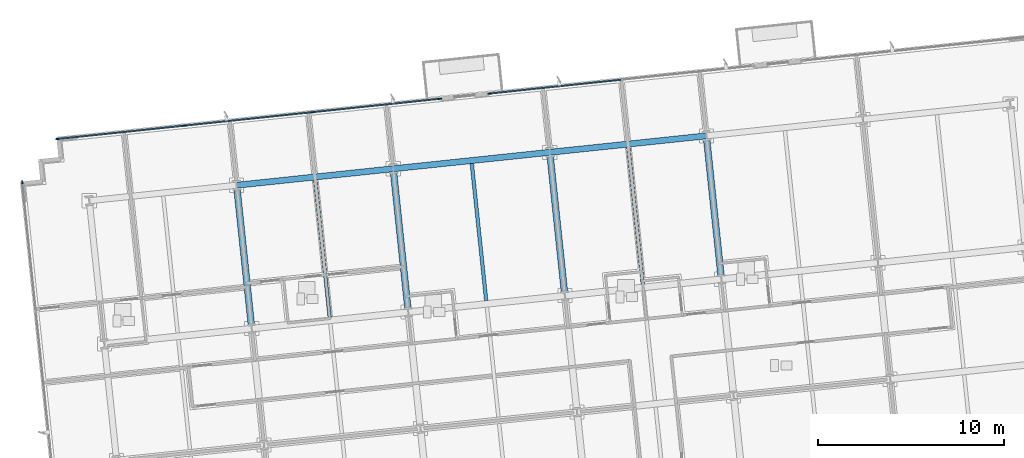
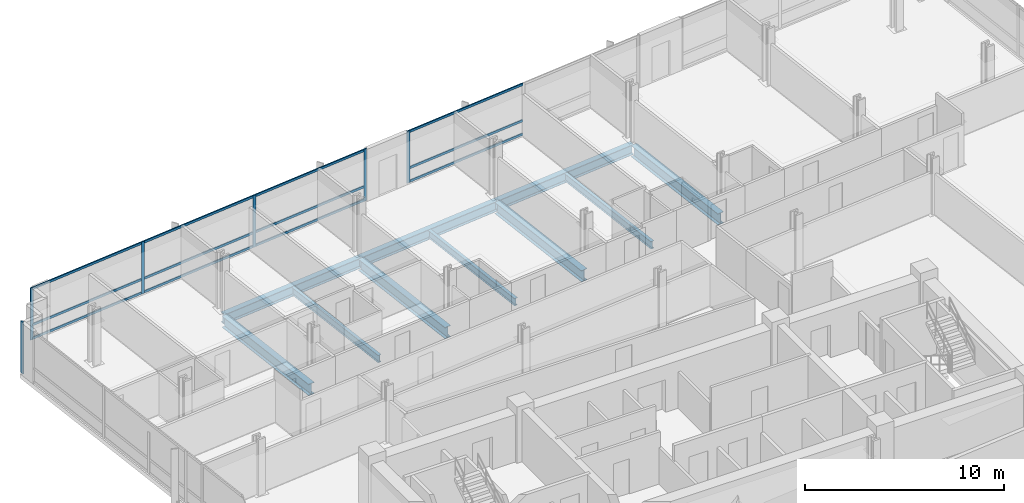
# One storey, part 7 of 18: 18 members, 10 beams, 3 elements without a shape of their own.
"""IFC4 building model written with IfcOpenShell, lengths in metres."""

from ifc_helpers import new_model, si_unit, direction, frame, origin, origin_2d, place, context, subcontext, project, spatial, rectangle, i_section, extrude, material, material_profile, profile_set, type_object, element, aggregate, save


model = new_model("IFC4")

# Units and contexts
model_context = context("Model", 3, precision=1e-05, world=origin(), true_north=direction((0.0, 1.0)))
body_context = subcontext(model_context, "Body", "Model", "MODEL_VIEW")
ifc_project = project(units=[si_unit("LENGTHUNIT", "METRE"), si_unit("AREAUNIT", "SQUARE_METRE"), si_unit("VOLUMEUNIT", "CUBIC_METRE"), si_unit("PLANEANGLEUNIT", "RADIAN"), si_unit("MASSUNIT", "GRAM", prefix="KILO")], contexts=[model_context])

# Site, building, storey
site_placement = place(None, origin())
site = spatial("IfcSite", under=ifc_project, at=site_placement, CompositionType="ELEMENT")
building_placement = place(site_placement, origin())
building = spatial("IfcBuilding", under=site, at=building_placement, Name="Solmavex Isthmus Hotel", CompositionType="ELEMENT")
storey_placement = place(building_placement, frame((0.0, 0.0, 120.14990234375)))
storey = spatial("IfcBuildingStorey", under=building, at=storey_placement, Name="L32", CompositionType="ELEMENT", Elevation=120.14990234375)

# Beams
ifc_material_1 = material(Name="Steel ASTM A992 Grade 50", Category="steel")
ifc_material_profile_1 = material_profile(ifc_material_1, i_section(OverallWidth=0.354736328125, OverallDepth=0.695556640625, WebThickness=0.015380859375, FlangeThickness=0.02490234375, FilletRadius=0.017822265625, at=origin_2d()), Name="W27X146")
ifc_profile_set_1 = profile_set([ifc_material_profile_1], Name="Steel ASTM A992 Grade 50")
beam_type_1 = type_object("IfcBeamType", Name="BM-BG-W27X146", PredefinedType="BEAM", material=ifc_profile_set_1)
for number, where, z_axis, x_axis, name in (
    (1, (-13.135498046875, 8.55859375, -0.607666015625), (-0.1045578893, 0.994518802128, 0.0), (-0.994518802128, -0.1045578893, 0.0), "Floor Beam L32-VG31"),
    (2, (-4.716064453125, 9.443603515625, -0.607666015625), (-0.104525307271, 0.994522227072, 0.0), (-0.994522227072, -0.104525307271, 0.0), "Floor Beam L32-VG35"),
):
    element("IfcBeam", number, at=place(storey_placement, frame(where, z_axis=z_axis, x_axis=x_axis)), inside=storey, type_object=beam_type_1, Name=name, PredefinedType="BEAM", context=body_context, shape_type="SweptSolid", body=[
        extrude(i_section(OverallWidth=0.354736328125, OverallDepth=0.695556640625, WebThickness=0.015380859375, FlangeThickness=0.02490234375, FilletRadius=0.017822265625, at=origin_2d()), origin(), (0.0, 0.0, 1.0), 7.4111328125),
    ])
beam_1_placement = place(storey_placement, frame((3.70361328125, 10.328369140625, -0.607666015625), z_axis=(-0.10452188296, 0.994522586964, 0.0), x_axis=(-0.994522586964, -0.10452188296, 0.0)))
element("IfcBeam", 3, at=beam_1_placement, inside=storey, type_object=beam_type_1, Name="Floor Beam L32-VG39", PredefinedType="BEAM", context=body_context, shape_type="SweptSolid", body=[
    extrude(i_section(OverallWidth=0.354736328125, OverallDepth=0.695556640625, WebThickness=0.015380859375, FlangeThickness=0.02490234375, FilletRadius=0.017822265625, at=origin_2d()), origin(), (0.0, 0.0, 1.0), 7.411376953125),
])
beam_2_placement = place(storey_placement, frame((12.123291015625, 11.21337890625, -0.607666015625), z_axis=(-0.104525307271, 0.994522227072, 0.0), x_axis=(-0.994522227072, -0.104525307271, 0.0)))
element("IfcBeam", 4, at=beam_2_placement, inside=storey, type_object=beam_type_1, Name="Floor Beam L32-VG42", PredefinedType="BEAM", context=body_context, shape_type="SweptSolid", body=[
    extrude(i_section(OverallWidth=0.354736328125, OverallDepth=0.695556640625, WebThickness=0.015380859375, FlangeThickness=0.02490234375, FilletRadius=0.017822265625, at=origin_2d()), origin(), (0.0, 0.0, 1.0), 7.4111328125),
])
ifc_material_profile_2 = material_profile(ifc_material_1, i_section(OverallWidth=0.1904296875, OverallDepth=0.456787109375, WebThickness=0.009033203125, FlangeThickness=0.014404296875, FilletRadius=0.0126953125, at=origin_2d()), Name="W18X50")
ifc_profile_set_2 = profile_set([ifc_material_profile_2], Name="Steel ASTM A992 Grade 50")
beam_type_2 = type_object("IfcBeamType", Name="BM-BJ-W18X50", PredefinedType="JOIST", material=ifc_profile_set_2)
beam_3_placement = place(storey_placement, frame((-8.92578125, 9.0009765625, -0.48828125), z_axis=(-0.10452188296, 0.994522586964, 0.0), x_axis=(-0.994522586964, -0.10452188296, 0.0)))
element("IfcBeam", 5, at=beam_3_placement, inside=storey, type_object=beam_type_2, Name="Secondary Floor Joist L32-J08", PredefinedType="JOIST", context=body_context, shape_type="SweptSolid", body=[
    extrude(i_section(OverallWidth=0.1904296875, OverallDepth=0.456787109375, WebThickness=0.009033203125, FlangeThickness=0.014404296875, FilletRadius=0.0126953125, at=origin_2d()), origin(), (0.0, 0.0, 1.0), 7.411376953125),
])
for number, where, z_axis, x_axis, name in (
    (6, (-0.506103515625, 9.885986328125, -0.48828125), (-0.104525307271, 0.994522227072, 0.0), (-0.994522227072, -0.104525307271, 0.0), "Secondary Floor Joist L32-J12"),
    (7, (7.913330078125, 10.77099609375, -0.48828125), (-0.104525307271, 0.994522227072, 0.0), (-0.994522227072, -0.104525307271, 0.0), "Secondary Floor Joist L32-J15"),
):
    element("IfcBeam", number, at=place(storey_placement, frame(where, z_axis=z_axis, x_axis=x_axis)), inside=storey, type_object=beam_type_2, Name=name, PredefinedType="JOIST", context=body_context, shape_type="SweptSolid", body=[
        extrude(i_section(OverallWidth=0.1904296875, OverallDepth=0.456787109375, WebThickness=0.009033203125, FlangeThickness=0.014404296875, FilletRadius=0.0126953125, at=origin_2d()), origin(), (0.0, 0.0, 1.0), 7.4111328125),
    ])
ifc_material_profile_3 = material_profile(ifc_material_1, i_section(OverallWidth=0.326416015625, OverallDepth=0.621826171875, WebThickness=0.015380859375, FlangeThickness=0.0244140625, FilletRadius=0.01513671875, at=origin_2d()), Name="W24X131")
ifc_profile_set_3 = profile_set([ifc_material_profile_3], Name="Steel ASTM A992 Grade 50")
beam_type_3 = type_object("IfcBeamType", Name="BM-SP-W24X131", PredefinedType="SPANDREL", material=ifc_profile_set_3)
for number, where, z_axis, x_axis, name in (
    (8, (-13.927490234375, 16.091552734375, -0.57080078125), (0.994521085209, 0.104536171134, 0.0), (-0.104536171134, 0.994521085209, 0.0), "Floor Girder L32-UG20"),
    (9, (-5.5078125, 16.9765625, -0.57080078125), (0.994521085209, 0.104536171134, 0.0), (-0.104536171134, 0.994521085209, 0.0), "Floor Girder L32-UG21"),
    (10, (2.911865234375, 17.861572265625, -0.57080078125), (0.994521085209, 0.104536171134, 0.0), (-0.104536171134, 0.994521085209, 0.0), "Floor Girder L32-UG22"),
):
    element("IfcBeam", number, at=place(storey_placement, frame(where, z_axis=z_axis, x_axis=x_axis)), inside=storey, type_object=beam_type_3, Name=name, PredefinedType="SPANDREL", context=body_context, shape_type="SweptSolid", body=[
        extrude(i_section(OverallWidth=0.326416015625, OverallDepth=0.621826171875, WebThickness=0.015380859375, FlangeThickness=0.0244140625, FilletRadius=0.01513671875, at=origin_2d()), origin(), (0.0, 0.0, 1.0), 8.466064453125),
    ])

# Curtain wall, members
ifc_material_2 = material(Name="Aluminium alloy 6063-T6", Category="aluminium")
curtain_wall_type = type_object("IfcCurtainWallType", Name="CW-SYS-03", PredefinedType="NOTDEFINED", material=ifc_material_2)
curtain_wall_1_placement = place(storey_placement, origin())
curtain_wall_1 = element("IfcCurtainWall", 11, at=curtain_wall_1_placement, inside=storey, type_object=curtain_wall_type, Name="Stick Curtain Wall CWL-L32-N1", PredefinedType="NOTDEFINED")
ifc_material_profile_4 = material_profile(ifc_material_2, rectangle(XDim=0.070068359375, YDim=0.179931640625, at=origin_2d()), Name="CWM-70X180")
ifc_profile_set_4 = profile_set([ifc_material_profile_4], Name="Aluminium alloy 6063-T6")
member_type_1 = type_object("IfcMemberType", Name="CW-SYS-03-MUL", PredefinedType="MULLION", material=ifc_profile_set_4)
member_1_placement = place(storey_placement, frame((-23.572998046875, 18.5771484375, 0.0), z_axis=(0.0, 0.0, 1.0), x_axis=(-0.10452832057, 0.994521910366, 0.0)))
member_1 = element("IfcMember", 12, at=member_1_placement, type_object=member_type_1, Name="CW-03 mullion 1", PredefinedType="MULLION", context=body_context, shape_type="SweptSolid", body=[
    extrude(rectangle(XDim=0.070068359375, YDim=0.179931640625, at=origin_2d()), origin(), (0.0, 0.0, 1.0), 3.190185546875),
])
member_2_placement = place(storey_placement, frame((-16.723388671875, 19.296875, 0.0), z_axis=(0.0, 0.0, 1.0), x_axis=(-0.10452832057, 0.994521910366, 0.0)))
member_2 = element("IfcMember", 13, at=member_2_placement, type_object=member_type_1, Name="CW-03 mullion 2", PredefinedType="MULLION", context=body_context, shape_type="SweptSolid", body=[
    extrude(rectangle(XDim=0.070068359375, YDim=0.179931640625, at=origin_2d()), origin(), (0.0, 0.0, 1.0), 3.190185546875),
])
member_3_placement = place(storey_placement, frame((-9.839111328125, 20.0205078125, 0.0), z_axis=(0.0, 0.0, 1.0), x_axis=(-0.10452832057, 0.994521910366, 0.0)))
member_3 = element("IfcMember", 14, at=member_3_placement, type_object=member_type_1, Name="CW-03 mullion 3", PredefinedType="MULLION", context=body_context, shape_type="SweptSolid", body=[
    extrude(rectangle(XDim=0.070068359375, YDim=0.179931640625, at=origin_2d()), origin(), (0.0, 0.0, 1.0), 3.190185546875),
])
member_4_placement = place(storey_placement, frame((-2.989501953125, 20.740478515625, 0.0), z_axis=(0.0, 0.0, 1.0), x_axis=(-0.10452832057, 0.994521910366, 0.0)))
member_4 = element("IfcMember", 15, at=member_4_placement, type_object=member_type_1, Name="CW-03 mullion 4", PredefinedType="MULLION", context=body_context, shape_type="SweptSolid", body=[
    extrude(rectangle(XDim=0.070068359375, YDim=0.179931640625, at=origin_2d()), origin(), (0.0, 0.0, 1.0), 3.190185546875),
])

# Curtain wall, member
curtain_wall_2_placement = place(storey_placement, origin())
curtain_wall_2 = element("IfcCurtainWall", 16, at=curtain_wall_2_placement, inside=storey, type_object=curtain_wall_type, Name="Stick Curtain Wall CWL-L32-N2", PredefinedType="NOTDEFINED")
member_5_placement = place(storey_placement, frame((-0.333984375, 21.01953125, 0.0), z_axis=(0.0, 0.0, 1.0), x_axis=(-0.10452900389, 0.994521838546, 0.0)))
member_5 = element("IfcMember", 17, at=member_5_placement, type_object=member_type_1, Name="CW-03 mullion 1", PredefinedType="MULLION", context=body_context, shape_type="SweptSolid", body=[
    extrude(rectangle(XDim=0.070068359375, YDim=0.179931640625, at=origin_2d()), origin(), (0.0, 0.0, 1.0), 3.190185546875),
])

curtain_wall_3_placement = place(storey_placement, origin())
curtain_wall_3 = element("IfcCurtainWall", 18, at=curtain_wall_3_placement, inside=storey, type_object=curtain_wall_type, Name="Stick Curtain Wall CWL-L32-W1", PredefinedType="NOTDEFINED")
member_6_placement = place(storey_placement, frame((-25.455322265625, 16.25244140625, 0.0), z_axis=(0.0, 0.0, 1.0), x_axis=(-0.994521893044, -0.104528485381, 0.0)))
member_6 = element("IfcMember", 19, at=member_6_placement, type_object=member_type_1, Name="CW-03 mullion 6", PredefinedType="MULLION", context=body_context, shape_type="SweptSolid", body=[
    extrude(rectangle(XDim=0.070068359375, YDim=0.179931640625, at=origin_2d()), origin(), (0.0, 0.0, 1.0), 3.190185546875),
])
aggregate(curtain_wall_3, [member_6])

# Member
ifc_material_profile_5 = material_profile(ifc_material_2, rectangle(XDim=0.070068359375, YDim=0.139892578125, at=origin_2d()), Name="CWT-70X140")
ifc_profile_set_5 = profile_set([ifc_material_profile_5], Name="Aluminium alloy 6063-T6")
member_type_2 = type_object("IfcMemberType", Name="CW-SYS-03-TRN", PredefinedType="USERDEFINED", material=ifc_profile_set_5)
member_7_placement = place(storey_placement, frame((-23.5380859375, 18.58056640625, 0.070068359375), z_axis=(0.994520944536, 0.104537509438, 0.0), x_axis=(-0.104537509438, 0.994520944536, 0.0)))
member_7 = element("IfcMember", 20, at=member_7_placement, type_object=member_type_2, Name="CW-03 transom 1.1", ObjectType="TRANSOM", PredefinedType="USERDEFINED", context=body_context, shape_type="SweptSolid", body=[
    extrude(rectangle(XDim=0.070068359375, YDim=0.139892578125, at=origin_2d()), origin(), (0.0, 0.0, 1.0), 6.817138671875),
])

member_8_placement = place(storey_placement, frame((-23.5380859375, 18.58056640625, 0.900146484375), z_axis=(0.994520944536, 0.104537509438, 0.0), x_axis=(-0.104537509438, 0.994520944536, 0.0)))
member_8 = element("IfcMember", 21, at=member_8_placement, type_object=member_type_2, Name="CW-03 transom 1.2", ObjectType="TRANSOM", PredefinedType="USERDEFINED", context=body_context, shape_type="SweptSolid", body=[
    extrude(rectangle(XDim=0.070068359375, YDim=0.139892578125, at=origin_2d()), origin(), (0.0, 0.0, 1.0), 6.817138671875),
])

member_9_placement = place(storey_placement, frame((-23.5380859375, 18.58056640625, 3.1201171875), z_axis=(0.994520944536, 0.104537509438, 0.0), x_axis=(-0.104537509438, 0.994520944536, 0.0)))
member_9 = element("IfcMember", 22, at=member_9_placement, type_object=member_type_2, Name="CW-03 transom 1.3", ObjectType="TRANSOM", PredefinedType="USERDEFINED", context=body_context, shape_type="SweptSolid", body=[
    extrude(rectangle(XDim=0.070068359375, YDim=0.139892578125, at=origin_2d()), origin(), (0.0, 0.0, 1.0), 6.817138671875),
])

member_10_placement = place(storey_placement, frame((-16.6884765625, 19.300537109375, 0.070068359375), z_axis=(0.994521060183, 0.104536409221, 0.0), x_axis=(-0.104536409221, 0.994521060183, 0.0)))
member_10 = element("IfcMember", 23, at=member_10_placement, type_object=member_type_2, Name="CW-03 transom 2.1", ObjectType="TRANSOM", PredefinedType="USERDEFINED", context=body_context, shape_type="SweptSolid", body=[
    extrude(rectangle(XDim=0.070068359375, YDim=0.139892578125, at=origin_2d()), origin(), (0.0, 0.0, 1.0), 6.852294921875),
])

member_11_placement = place(storey_placement, frame((-16.6884765625, 19.300537109375, 0.900146484375), z_axis=(0.994521060183, 0.104536409221, 0.0), x_axis=(-0.104536409221, 0.994521060183, 0.0)))
member_11 = element("IfcMember", 24, at=member_11_placement, type_object=member_type_2, Name="CW-03 transom 2.2", ObjectType="TRANSOM", PredefinedType="USERDEFINED", context=body_context, shape_type="SweptSolid", body=[
    extrude(rectangle(XDim=0.070068359375, YDim=0.139892578125, at=origin_2d()), origin(), (0.0, 0.0, 1.0), 6.852294921875),
])

member_12_placement = place(storey_placement, frame((-16.6884765625, 19.300537109375, 3.1201171875), z_axis=(0.994521060183, 0.104536409221, 0.0), x_axis=(-0.104536409221, 0.994521060183, 0.0)))
member_12 = element("IfcMember", 25, at=member_12_placement, type_object=member_type_2, Name="CW-03 transom 2.3", ObjectType="TRANSOM", PredefinedType="USERDEFINED", context=body_context, shape_type="SweptSolid", body=[
    extrude(rectangle(XDim=0.070068359375, YDim=0.139892578125, at=origin_2d()), origin(), (0.0, 0.0, 1.0), 6.852294921875),
])

member_13_placement = place(storey_placement, frame((-9.80419921875, 20.024169921875, 0.070068359375), z_axis=(0.99452133588, 0.104533786303, 0.0), x_axis=(-0.104533786303, 0.99452133588, 0.0)))
member_13 = element("IfcMember", 26, at=member_13_placement, type_object=member_type_2, Name="CW-03 transom 3.1", ObjectType="TRANSOM", PredefinedType="USERDEFINED", context=body_context, shape_type="SweptSolid", body=[
    extrude(rectangle(XDim=0.070068359375, YDim=0.139892578125, at=origin_2d()), origin(), (0.0, 0.0, 1.0), 6.8173828125),
])

member_14_placement = place(storey_placement, frame((-9.80419921875, 20.024169921875, 0.900146484375), z_axis=(0.99452133588, 0.104533786303, 0.0), x_axis=(-0.104533786303, 0.99452133588, 0.0)))
member_14 = element("IfcMember", 27, at=member_14_placement, type_object=member_type_2, Name="CW-03 transom 3.2", ObjectType="TRANSOM", PredefinedType="USERDEFINED", context=body_context, shape_type="SweptSolid", body=[
    extrude(rectangle(XDim=0.070068359375, YDim=0.139892578125, at=origin_2d()), origin(), (0.0, 0.0, 1.0), 6.8173828125),
])

member_15_placement = place(storey_placement, frame((-9.80419921875, 20.024169921875, 3.1201171875), z_axis=(0.99452133588, 0.104533786303, 0.0), x_axis=(-0.104533786303, 0.99452133588, 0.0)))
member_15 = element("IfcMember", 28, at=member_15_placement, type_object=member_type_2, Name="CW-03 transom 3.3", ObjectType="TRANSOM", PredefinedType="USERDEFINED", context=body_context, shape_type="SweptSolid", body=[
    extrude(rectangle(XDim=0.070068359375, YDim=0.139892578125, at=origin_2d()), origin(), (0.0, 0.0, 1.0), 6.8173828125),
])

aggregate(curtain_wall_1, [member_1, member_2, member_3, member_4, member_7, member_8, member_9, member_10, member_11, member_12, member_13, member_14, member_15])

member_16_placement = place(storey_placement, frame((-0.29931640625, 21.023193359375, 0.070068359375), z_axis=(0.9945226797, 0.104521000582, 0.0), x_axis=(-0.104521000582, 0.9945226797, 0.0)))
member_16 = element("IfcMember", 29, at=member_16_placement, type_object=member_type_2, Name="CW-03 transom 1.1", ObjectType="TRANSOM", PredefinedType="USERDEFINED", context=body_context, shape_type="SweptSolid", body=[
    extrude(rectangle(XDim=0.070068359375, YDim=0.139892578125, at=origin_2d()), origin(), (0.0, 0.0, 1.0), 7.06103515625),
])

member_17_placement = place(storey_placement, frame((-0.29931640625, 21.023193359375, 0.900146484375), z_axis=(0.9945226797, 0.104521000582, 0.0), x_axis=(-0.104521000582, 0.9945226797, 0.0)))
member_17 = element("IfcMember", 30, at=member_17_placement, type_object=member_type_2, Name="CW-03 transom 1.2", ObjectType="TRANSOM", PredefinedType="USERDEFINED", context=body_context, shape_type="SweptSolid", body=[
    extrude(rectangle(XDim=0.070068359375, YDim=0.139892578125, at=origin_2d()), origin(), (0.0, 0.0, 1.0), 7.06103515625),
])

member_18_placement = place(storey_placement, frame((-0.29931640625, 21.023193359375, 3.1201171875), z_axis=(0.9945226797, 0.104521000582, 0.0), x_axis=(-0.104521000582, 0.9945226797, 0.0)))
member_18 = element("IfcMember", 31, at=member_18_placement, type_object=member_type_2, Name="CW-03 transom 1.3", ObjectType="TRANSOM", PredefinedType="USERDEFINED", context=body_context, shape_type="SweptSolid", body=[
    extrude(rectangle(XDim=0.070068359375, YDim=0.139892578125, at=origin_2d()), origin(), (0.0, 0.0, 1.0), 7.06103515625),
])

aggregate(curtain_wall_2, [member_5, member_16, member_17, member_18])

save(model, "model.ifc")
